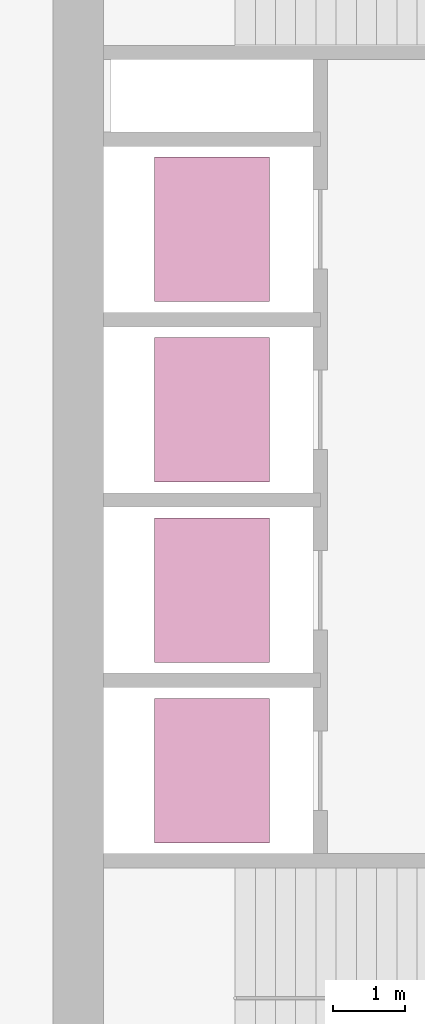
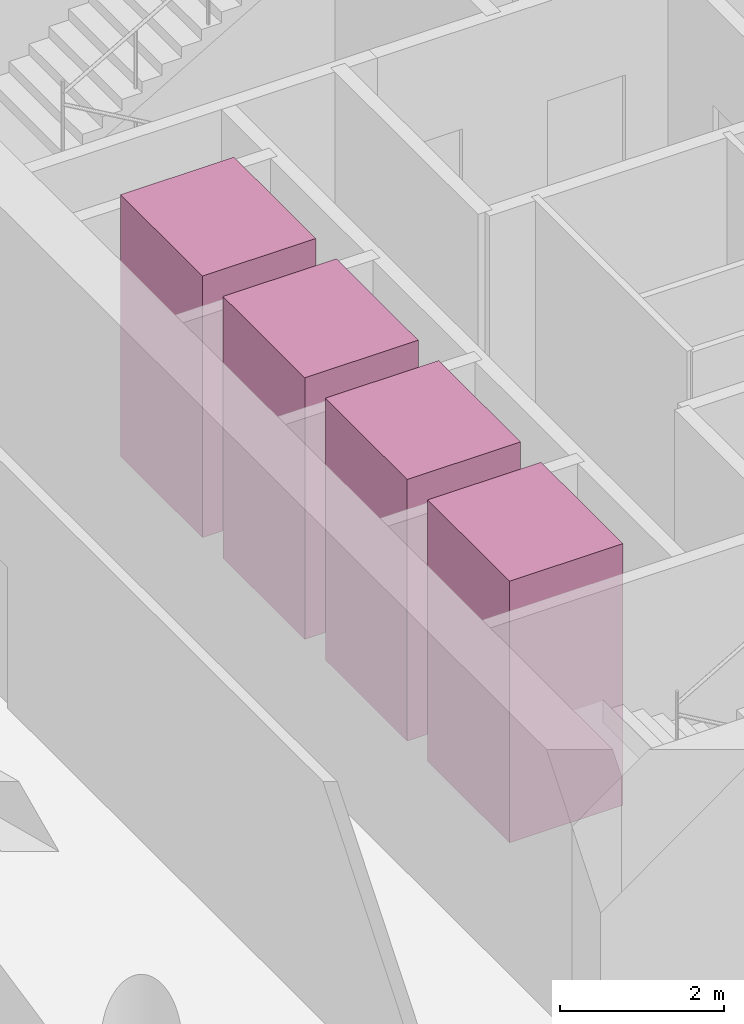
# One storey, part 9 of 9: 4 transport elements.
"""IFC4 building model written with IfcOpenShell, lengths in metres."""

from ifc_helpers import new_model, si_unit, direction, frame, origin, origin_2d, place, context, subcontext, project, spatial, rectangle, extrude, material, type_object, element, save


model = new_model("IFC4")

# Units and contexts
model_context = context("Model", 3, precision=1e-05, world=origin(), true_north=direction((0.0, 1.0)))
body_context = subcontext(model_context, "Body", "Model", "MODEL_VIEW")
ifc_project = project(units=[si_unit("LENGTHUNIT", "METRE"), si_unit("AREAUNIT", "SQUARE_METRE"), si_unit("VOLUMEUNIT", "CUBIC_METRE"), si_unit("PLANEANGLEUNIT", "RADIAN"), si_unit("MASSUNIT", "GRAM", prefix="KILO")], contexts=[model_context])

# Site, building, storey
site_placement = place(None, origin())
site = spatial("IfcSite", under=ifc_project, at=site_placement, CompositionType="ELEMENT")
building_placement = place(site_placement, origin())
building = spatial("IfcBuilding", under=site, at=building_placement, Name="Qaws Garden Tower", CompositionType="ELEMENT")
storey_placement = place(building_placement, frame((0.0, 0.0, 159.0)))
storey = spatial("IfcBuildingStorey", under=building, at=storey_placement, Name="L38", CompositionType="ELEMENT", Elevation=159.0)

# Transport elements
ifc_material = material(Name="Stainless steel 316", Category="steel")
transport_element_type = type_object("IfcTransportElementType", Name="Passenger lift car 2000x1600 1800 kg", PredefinedType="ELEVATOR", material=ifc_material)
for number, where, z_axis, x_axis, name in (
    (1, (10.199951171875, 13.64990234375, 0.0), (0.0, 0.0, 1.0), (1.0, 0.0, 0.0), "MR1"),
    (2, (10.199951171875, 16.14990234375, 0.0), (0.0, 0.0, 1.0), (1.0, 0.0, 0.0), "MR2"),
    (3, (10.199951171875, 18.64990234375, 0.0), (0.0, 0.0, 1.0), (1.0, 0.0, 0.0), "MR3"),
    (4, (10.199951171875, 21.14990234375, 0.0), (0.0, 0.0, 1.0), (1.0, 0.0, 0.0), "MR4"),
):
    element("IfcTransportElement", number, at=place(storey_placement, frame(where, z_axis=z_axis, x_axis=x_axis)), inside=storey, type_object=transport_element_type, Name=name, PredefinedType="ELEVATOR", context=body_context, shape_type="SweptSolid", body=[
        extrude(rectangle(XDim=1.60009765625, YDim=2.0, at=origin_2d()), origin(), (0.0, 0.0, 1.0), 3.89990234375),
    ])

save(model, "model.ifc")
